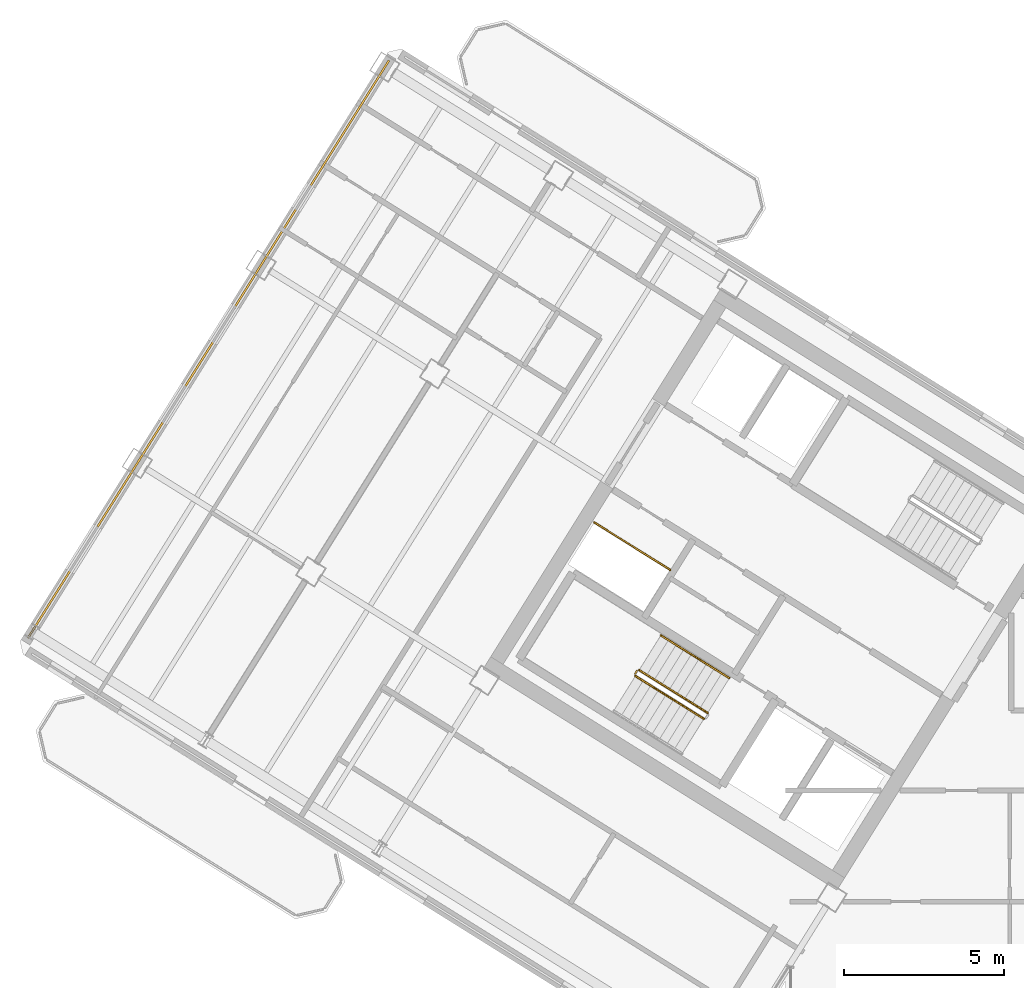
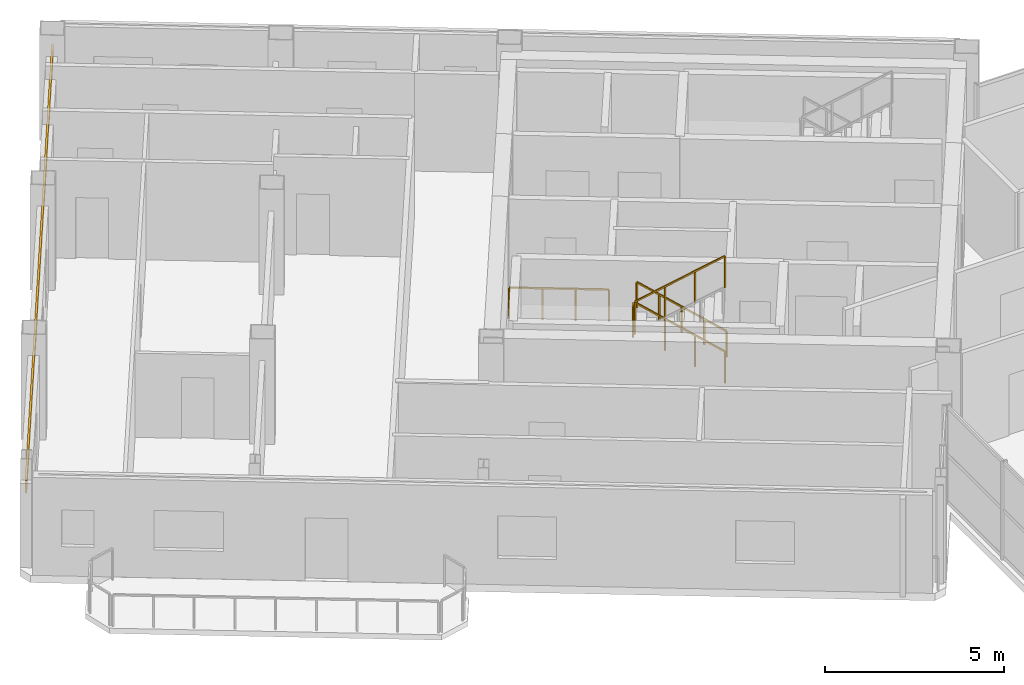
# One storey, part 12 of 14: 6 railings, 1 covering.
"""IFC4 building model written with IfcOpenShell, lengths in metres."""

import ifcopenshell
import ifcopenshell.guid

model = None  # the IFC model being written
_history = None  # IfcOwnerHistory: only IFC2X3 demands one
_inside = {}  # id of a spatial element -> (the spatial element, [elements in it])
_under = {}  # id of a project, library or spatial element -> (it, [spatial elements below it])
_declared = {}  # id of a project -> (the project, [libraries it declares])
_typed = {}  # id of a type object -> (the type object, [elements of that type])
_made_of = {}  # id of a material, layer set ... -> (it, [elements and type objects made of it])


def new_model(schema):
    """Start an empty IFC model of exactly this schema.

    Asked for "IFC4X3", IfcOpenShell would pick the latest addendum, in which some entities
    have other attributes; the version numbers below select the first issue.
    IFC2X3 requires an IfcOwnerHistory on every rooted entity: one is made here for all.
    """
    global model, _history
    if schema == "IFC4X3":
        model = ifcopenshell.file(schema_version=(4, 3, 0, 0))
    else:
        model = ifcopenshell.file(schema=schema)
    _inside.clear()
    _under.clear()
    _declared.clear()
    _typed.clear()
    _made_of.clear()
    _history = None
    if model.schema == "IFC2X3":
        org = make("IfcOrganization", Name="unknown")
        user = make(
            "IfcPersonAndOrganization",
            ThePerson=make("IfcPerson", FamilyName="unknown"),
            TheOrganization=org,
        )
        app = make(
            "IfcApplication",
            ApplicationDeveloper=org,
            Version="unknown",
            ApplicationFullName="unknown",
            ApplicationIdentifier="unknown",
        )
        _history = make(
            "IfcOwnerHistory",
            OwningUser=user,
            OwningApplication=app,
            ChangeAction="ADDED",
            CreationDate=0,
        )
    return model


def make(cls, **values):
    """One entity of the class cls with the attributes given. An attribute that is None is left unset."""
    return model.create_entity(
        cls, **{name: value for name, value in values.items() if value is not None}
    )


def rooted(cls, **values):
    """An entity with a GlobalId (a new one), such as an element, a storey or a relation."""
    return make(cls, GlobalId=ifcopenshell.guid.new(), OwnerHistory=_history, **values)


def si_unit(unit_type, name, prefix=None):
    """IfcSIUnit, for example si_unit("LENGTHUNIT", "METRE", prefix="MILLI")."""
    return make("IfcSIUnit", UnitType=unit_type, Prefix=prefix, Name=name)


def assignment(units):
    """IfcUnitAssignment: the units of a project."""
    return None if units is None else make("IfcUnitAssignment", Units=units)


def point(xyz):
    """IfcCartesianPoint."""
    return None if xyz is None else make("IfcCartesianPoint", Coordinates=xyz)


def direction(xyz):
    """IfcDirection."""
    return None if xyz is None else make("IfcDirection", DirectionRatios=xyz)


def frame(location, z_axis=None, x_axis=None):
    """IfcAxis2Placement3D, a coordinate frame: its origin and axes. An axis left out is left unset."""
    return make(
        "IfcAxis2Placement3D",
        Location=point(location),
        Axis=direction(z_axis),
        RefDirection=direction(x_axis),
    )


def frame_2d(location, x_axis=None):
    """IfcAxis2Placement2D, a coordinate frame in the plane: its origin and x axis."""
    return make(
        "IfcAxis2Placement2D", Location=point(location), RefDirection=direction(x_axis)
    )


def origin():
    """The frame at (0, 0, 0) with its axes left unset."""
    return frame((0.0, 0.0, 0.0))


def origin_2d():
    """The frame at (0, 0) in the plane with its x axis left unset."""
    return frame_2d((0.0, 0.0))


def place(relative_to, where):
    """IfcLocalPlacement: puts the frame where relative to a parent placement (None: the world)."""
    return make(
        "IfcLocalPlacement", PlacementRelTo=relative_to, RelativePlacement=where
    )


def context(
    kind, dimensions, precision=None, world=None, true_north=None, identifier=None
):
    """IfcGeometricRepresentationContext, for example the 3D "Model" context."""
    return make(
        "IfcGeometricRepresentationContext",
        ContextIdentifier=identifier,
        ContextType=kind,
        CoordinateSpaceDimension=dimensions,
        Precision=precision,
        WorldCoordinateSystem=world,
        TrueNorth=true_north,
    )


def subcontext(parent, identifier, kind, view, scale=None):
    """IfcGeometricRepresentationSubContext, for example "Body" below "Model"."""
    return make(
        "IfcGeometricRepresentationSubContext",
        ContextIdentifier=identifier,
        ContextType=kind,
        ParentContext=parent,
        TargetScale=scale,
        TargetView=view,
    )


def project(units=None, contexts=None):
    """IfcProject with its units and contexts."""
    return rooted(
        "IfcProject",
        Name="project",
        RepresentationContexts=contexts,
        UnitsInContext=assignment(units),
    )


def spatial(cls, under=None, at=None, **own):
    """A site, building, storey or space (cls), placed at a placement, below another one or the project."""
    s = rooted(cls, ObjectPlacement=at, **own)
    if under is not None:
        _under.setdefault(under.id(), (under, []))[1].append(s)
    return s


def profile(cls, at=None, kind="AREA", **sizes):
    """A parametric profile (cls). Its sizes go by their IFC names, for example OverallWidth=200.0."""
    return make(cls, ProfileType=kind, Position=at, **sizes)


def rectangle(**sizes):
    """IfcRectangleProfileDef."""
    return profile("IfcRectangleProfileDef", **sizes)


def extrude(swept, where, along, depth):
    """IfcExtrudedAreaSolid: the profile swept, set in the frame where, extruded along a direction by depth."""
    return make(
        "IfcExtrudedAreaSolid",
        SweptArea=swept,
        Position=where,
        ExtrudedDirection=direction(along),
        Depth=depth,
    )


def shape(context_of_items, identifier, shape_type, items):
    """IfcShapeRepresentation: the items that make up one representation, for example the "Body"."""
    return make(
        "IfcShapeRepresentation",
        ContextOfItems=context_of_items,
        RepresentationIdentifier=identifier,
        RepresentationType=shape_type,
        Items=items,
    )


def source(mapping_origin, context_of_items, identifier, shape_type, items):
    """IfcRepresentationMap: a shape defined once, which mapped items show again and again."""
    return make(
        "IfcRepresentationMap",
        MappingOrigin=mapping_origin,
        MappedRepresentation=shape(context_of_items, identifier, shape_type, items),
    )


def transform(
    local_origin,
    x_axis=None,
    y_axis=None,
    z_axis=None,
    scale=None,
    scale2=None,
    scale3=None,
    uniform=True,
):
    """IfcCartesianTransformationOperator3D, or its non-uniform kind. x_axis, y_axis, z_axis: its Axis1, 2, 3."""
    if uniform:
        return make(
            "IfcCartesianTransformationOperator3D",
            Axis1=direction(x_axis),
            Axis2=direction(y_axis),
            LocalOrigin=point(local_origin),
            Scale=scale,
            Axis3=direction(z_axis),
        )
    return make(
        "IfcCartesianTransformationOperator3DnonUniform",
        Axis1=direction(x_axis),
        Axis2=direction(y_axis),
        LocalOrigin=point(local_origin),
        Scale=scale,
        Axis3=direction(z_axis),
        Scale2=scale2,
        Scale3=scale3,
    )


def mapped(mapping_source, mapping_target):
    """IfcMappedItem: shows the shape of a source again, moved by a transform."""
    return make(
        "IfcMappedItem", MappingSource=mapping_source, MappingTarget=mapping_target
    )


def material(Name=None, Category=None):
    """IfcMaterial."""
    return make("IfcMaterial", Name=Name, Category=Category)


def layer(
    of_material, thickness, ventilated=None, Name=None, Category=None, Priority=None
):
    """IfcMaterialLayer: one layer of a wall or slab, of a material (None: an air gap)."""
    return make(
        "IfcMaterialLayer",
        Material=of_material,
        LayerThickness=thickness,
        IsVentilated=ventilated,
        Name=Name,
        Category=Category,
        Priority=Priority,
    )


def layer_set(layers, Name=None):
    """IfcMaterialLayerSet."""
    return make("IfcMaterialLayerSet", MaterialLayers=layers, LayerSetName=Name)


def made_of(thing, what):
    """Note that an element or type object is made of a material, layer set ...; save() writes the relation."""
    if what is not None:
        _made_of.setdefault(what.id(), (what, []))[1].append(thing)
    return thing


def type_object(cls, material=None, **own):
    """A type object (cls), such as IfcWallType, which elements share."""
    return made_of(rooted(cls, **own), material)


def element(
    cls,
    number,
    at=None,
    inside=None,
    cuts=None,
    type_object=None,
    material=None,
    context=None,
    identifier="Body",
    shape_type=None,
    held_by="IfcProductDefinitionShape",
    body=None,
    shapes=None,
    **own,
):
    """One element of the class cls, such as IfcWall. Its Tag is "e" and its number.

    at: its placement. inside: the storey or other place that contains it. cuts: it is an
    opening in that element (IfcRelVoidsElement). A single representation is given by context,
    identifier, shape_type and body (its items); several are given by shapes. held_by: the class
    of the entity that holds the representations. save() writes the other relations.
    """
    e = rooted(cls, Tag="e%d" % number, ObjectPlacement=at, **own)
    if body is not None:
        shapes = [shape(context, identifier, shape_type, body)]
    if shapes is not None:
        e.Representation = make(held_by, Representations=shapes)
    if inside is not None:
        _inside.setdefault(inside.id(), (inside, []))[1].append(e)
    if cuts is not None:
        rooted(
            "IfcRelVoidsElement", RelatingBuildingElement=cuts, RelatedOpeningElement=e
        )
    if type_object is not None:
        _typed.setdefault(type_object.id(), (type_object, []))[1].append(e)
    return made_of(e, material)


def aggregate(whole, parts):
    """IfcRelAggregates: a whole, such as a stair, and the parts it consists of."""
    return rooted("IfcRelAggregates", RelatingObject=whole, RelatedObjects=parts)


def save(model, path):
    """Write the relations noted so far, then the file.

    IfcRelAggregates (storeys below a building ...), IfcRelContainedInSpatialStructure (elements
    in a storey), IfcRelDefinesByType, IfcRelAssociatesMaterial and IfcRelDeclares: one each for
    every whole, place, type object, material and project.
    """
    for whole, parts in _under.values():
        aggregate(whole, parts)
    for where, things in _inside.values():
        rooted(
            "IfcRelContainedInSpatialStructure",
            RelatedElements=things,
            RelatingStructure=where,
        )
    for kind, things in _typed.values():
        rooted("IfcRelDefinesByType", RelatedObjects=things, RelatingType=kind)
    for what, things in _made_of.values():
        rooted("IfcRelAssociatesMaterial", RelatedObjects=things, RelatingMaterial=what)
    for by, libraries in _declared.values():
        rooted("IfcRelDeclares", RelatingContext=by, RelatedDefinitions=libraries)
    model.write(path)


model = new_model("IFC4")

# Units and contexts
model_context = context("Model", 3, precision=1e-05, world=origin(), true_north=direction((0.0, 1.0)))
body_context = subcontext(model_context, "Body", "Model", "MODEL_VIEW")
ifc_project = project(units=[si_unit("LENGTHUNIT", "METRE"), si_unit("AREAUNIT", "SQUARE_METRE"), si_unit("VOLUMEUNIT", "CUBIC_METRE"), si_unit("PLANEANGLEUNIT", "RADIAN"), si_unit("MASSUNIT", "GRAM", prefix="KILO")], contexts=[model_context])

# Site, building, storey
site_placement = place(None, origin())
site = spatial("IfcSite", under=ifc_project, at=site_placement, CompositionType="ELEMENT")
building_placement = place(site_placement, origin())
building = spatial("IfcBuilding", under=site, at=building_placement, Name="Tlacorven Tower", CompositionType="ELEMENT")
storey_placement = place(building_placement, frame((0.0, 0.0, 284.39990234375)))
storey = spatial("IfcBuildingStorey", under=building, at=storey_placement, Name="L72", CompositionType="ELEMENT", Elevation=284.39990234375)

# Railing
ifc_material_1 = material(Name="Aluminium and painted steel balustrade", Category="steel")
railing_type_1 = type_object("IfcRailingType", Name="RL-GRD-1100", PredefinedType="GUARDRAIL", material=ifc_material_1)
shared_shape_1 = source(origin(), body_context, "Body", "SweptSolid", [
    extrude(rectangle(XDim=0.048095703125, YDim=0.048095703125, at=origin_2d()), frame((0.0, 0.0, 1.076171875), z_axis=(-0.848091358275, 0.529850024081, 0.0), x_axis=(-0.529850024081, -0.848091358275, 0.0)), (0.0, 0.0, 1.0), 2.800048828125),
    extrude(rectangle(XDim=0.0419921875, YDim=0.0419921875, at=origin_2d()), origin(), (0.0, 0.0, 1.0), 1.052001953125),
    extrude(rectangle(XDim=0.0419921875, YDim=0.0419921875, at=origin_2d()), frame((-0.79150390625, 0.49462890625, 0.0)), (0.0, 0.0, 1.0), 1.052001953125),
    extrude(rectangle(XDim=0.0419921875, YDim=0.0419921875, at=origin_2d()), frame((-1.583251953125, 0.989013671875, 0.0)), (0.0, 0.0, 1.0), 1.052001953125),
    extrude(rectangle(XDim=0.0419921875, YDim=0.0419921875, at=origin_2d()), frame((-2.374755859375, 1.483642578125, 0.0)), (0.0, 0.0, 1.0), 1.052001953125),
])
railing_1_placement = place(storey_placement, frame((27.9912109375, 22.32080078125, 0.0)))
element("IfcRailing", 1, at=railing_1_placement, inside=storey, type_object=railing_type_1, Name="L72 Electrical Riser W Shaft Guard 1", PredefinedType="GUARDRAIL", context=body_context, shape_type="MappedRepresentation", body=[
    mapped(shared_shape_1, transform((0.0, 0.0, 0.0), scale=1.0)),
])

# Covering
ifc_material_2 = material(Name="Precast concrete C45/55", Category="concrete")
ifc_layer = layer(ifc_material_2, 0.06005859375)
ifc_layer_set = layer_set([ifc_layer], Name="Precast concrete C45/55")
covering_type = type_object("IfcCoveringType", Name="CV-CLD-TERC", PredefinedType="CLADDING", material=ifc_layer_set)
shared_shape_2 = source(origin(), body_context, "Body", "SweptSolid", [
    extrude(rectangle(XDim=21.287353515625, YDim=0.06005859375, at=origin_2d()), origin(), (0.0, 0.0, 1.0), 0.419921875),
])
covering_placement = place(storey_placement, frame((13.561767578125, 29.214599609375, 2.455078125), z_axis=(0.0, 0.0, 1.0), x_axis=(0.529919478984, 0.848047961965, 0.0)))
element("IfcCovering", 2, at=covering_placement, inside=storey, type_object=covering_type, Name="L72 Masonry-Frame Spandrel Cladding 3", PredefinedType="CLADDING", context=body_context, shape_type="MappedRepresentation", body=[
    mapped(shared_shape_2, transform((0.0, 0.0, 0.0), scale=1.0)),
])

# Railings
shared_shape_3 = source(origin(), body_context, "Body", "SweptSolid", [
    extrude(rectangle(XDim=0.048095703125, YDim=0.048095703125, at=origin_2d()), frame((0.0, 0.0, 1.076171875), z_axis=(-0.530546985787, -0.847655529016, 0.0), x_axis=(0.847655529016, -0.530546985787, 0.0)), (0.0, 0.0, 1.0), 0.1201171875),
    extrude(rectangle(XDim=0.0419921875, YDim=0.0419921875, at=origin_2d()), origin(), (0.0, 0.0, 1.0), 1.052001953125),
    extrude(rectangle(XDim=0.0419921875, YDim=0.0419921875, at=origin_2d()), frame((-0.063720703125, -0.101806640625, 0.0)), (0.0, 0.0, 1.0), 1.052001953125),
])
railing_2_placement = place(storey_placement, frame((26.954833984375, 19.17138671875, 1.800048828125)))
element("IfcRailing", 3, at=railing_2_placement, inside=storey, type_object=railing_type_1, Name="L72 ST-W1 stair guard 2", PredefinedType="GUARDRAIL", context=body_context, shape_type="MappedRepresentation", body=[
    mapped(shared_shape_3, transform((0.0, 0.0, 0.0), scale=1.0)),
])
shared_shape_4 = source(origin(), body_context, "Body", "SweptSolid", [
    extrude(rectangle(XDim=0.048095703125, YDim=0.048095703125, at=origin_2d()), frame((0.0, 0.0, 1.076171875), z_axis=(0.713359751793, -0.4457479829, 0.540764828981), x_axis=(0.529911857636, 0.848052724267, 0.0)), (0.0, 0.0, 1.0), 2.99609375),
    extrude(rectangle(XDim=0.0419921875, YDim=0.0419921875, at=origin_2d()), origin(), (0.0, 0.0, 1.0), 1.052001953125),
    extrude(rectangle(XDim=0.0419921875, YDim=0.0419921875, at=origin_2d()), frame((0.71240234375, -0.445068359375, 0.5400390625)), (0.0, 0.0, 1.0), 1.052001953125),
    extrude(rectangle(XDim=0.0419921875, YDim=0.0419921875, at=origin_2d()), frame((1.4248046875, -0.890380859375, 1.080078125)), (0.0, 0.0, 1.0), 1.052001953125),
    extrude(rectangle(XDim=0.0419921875, YDim=0.0419921875, at=origin_2d()), frame((2.13720703125, -1.33544921875, 1.6201171875)), (0.0, 0.0, 1.0), 1.052001953125),
])
railing_3_placement = place(storey_placement, frame((26.906982421875, 19.000732421875, 1.97998046875)))
element("IfcRailing", 4, at=railing_3_placement, inside=storey, type_object=railing_type_1, Name="L72 ST-W1 stair guard 3", PredefinedType="GUARDRAIL", context=body_context, shape_type="MappedRepresentation", body=[
    mapped(shared_shape_4, transform((0.0, 0.0, 0.0), scale=1.0)),
])
railing_type_2 = type_object("IfcRailingType", Name="RL-HND-0900", PredefinedType="HANDRAIL", material=ifc_material_1)
shared_shape_5 = source(origin(), body_context, "Body", "SweptSolid", [
    extrude(rectangle(XDim=0.048095703125, YDim=0.048095703125, at=origin_2d()), frame((0.0, 0.0, 0.8759765625), z_axis=(-0.713359751793, 0.4457479829, 0.540764828981), x_axis=(-0.529911857636, -0.848052724267, 0.0)), (0.0, 0.0, 1.0), 1.498046875),
    extrude(rectangle(XDim=0.0419921875, YDim=0.0419921875, at=origin_2d()), origin(), (0.0, 0.0, 1.0), 0.851806640625),
    extrude(rectangle(XDim=0.0419921875, YDim=0.0419921875, at=origin_2d()), frame((-0.5341796875, 0.333984375, 0.405029296875)), (0.0, 0.0, 1.0), 0.851806640625),
    extrude(rectangle(XDim=0.0419921875, YDim=0.0419921875, at=origin_2d()), frame((-1.068603515625, 0.667724609375, 0.81005859375)), (0.0, 0.0, 1.0), 0.851806640625),
])
railing_4_placement = place(storey_placement, frame((28.7705078125, 19.60498046875, 0.989990234375)))
element("IfcRailing", 5, at=railing_4_placement, inside=storey, type_object=railing_type_2, Name="L72 ST-W1 stair handrail 2", PredefinedType="HANDRAIL", context=body_context, shape_type="MappedRepresentation", body=[
    mapped(shared_shape_5, transform((0.0, 0.0, 0.0), scale=1.0)),
])
shared_shape_6 = source(origin(), body_context, "Body", "SweptSolid", [
    extrude(rectangle(XDim=0.048095703125, YDim=0.048095703125, at=origin_2d()), frame((0.0, 0.0, 1.076171875), z_axis=(-0.713351164325, 0.445793541512, 0.540738601085), x_axis=(-0.529955395941, -0.84802551749, 0.0)), (0.0, 0.0, 1.0), 2.99560546875),
    extrude(rectangle(XDim=0.0419921875, YDim=0.0419921875, at=origin_2d()), origin(), (0.0, 0.0, 1.0), 1.052001953125),
    extrude(rectangle(XDim=0.0419921875, YDim=0.0419921875, at=origin_2d()), frame((-0.71240234375, 0.445068359375, 0.5400390625)), (0.0, 0.0, 1.0), 1.052001953125),
    extrude(rectangle(XDim=0.0419921875, YDim=0.0419921875, at=origin_2d()), frame((-1.424560546875, 0.890380859375, 1.079833984375)), (0.0, 0.0, 1.0), 1.052001953125),
    extrude(rectangle(XDim=0.0419921875, YDim=0.0419921875, at=origin_2d()), frame((-2.136962890625, 1.33544921875, 1.619873046875)), (0.0, 0.0, 1.0), 1.052001953125),
])
railing_5_placement = place(storey_placement, frame((29.16064453125, 17.851806640625, 0.18017578125)))
element("IfcRailing", 6, at=railing_5_placement, inside=storey, type_object=railing_type_1, Name="L72 ST-W1 stair guard 1", PredefinedType="GUARDRAIL", context=body_context, shape_type="MappedRepresentation", body=[
    mapped(shared_shape_6, transform((0.0, 0.0, 0.0), scale=1.0)),
])
shared_shape_7 = source(origin(), body_context, "Body", "SweptSolid", [
    extrude(rectangle(XDim=0.048095703125, YDim=0.048095703125, at=origin_2d()), frame((0.0, 0.0, 0.8759765625), z_axis=(-0.713422621445, 0.445787267455, 0.540649494022), x_axis=(-0.529911857636, -0.848052724267, 0.0)), (0.0, 0.0, 1.0), 1.497802734375),
    extrude(rectangle(XDim=0.0419921875, YDim=0.0419921875, at=origin_2d()), origin(), (0.0, 0.0, 1.0), 0.851806640625),
    extrude(rectangle(XDim=0.0419921875, YDim=0.0419921875, at=origin_2d()), frame((-0.5341796875, 0.333984375, 0.40478515625)), (0.0, 0.0, 1.0), 0.851806640625),
    extrude(rectangle(XDim=0.0419921875, YDim=0.0419921875, at=origin_2d()), frame((-1.068603515625, 0.667724609375, 0.809814453125)), (0.0, 0.0, 1.0), 0.851806640625),
])
railing_6_placement = place(storey_placement, frame((29.839111328125, 18.937255859375, 0.18017578125)))
element("IfcRailing", 7, at=railing_6_placement, inside=storey, type_object=railing_type_2, Name="L72 ST-W1 stair handrail 1", PredefinedType="HANDRAIL", context=body_context, shape_type="MappedRepresentation", body=[
    mapped(shared_shape_7, transform((0.0, 0.0, 0.0), scale=1.0)),
])

save(model, "model.ifc")
